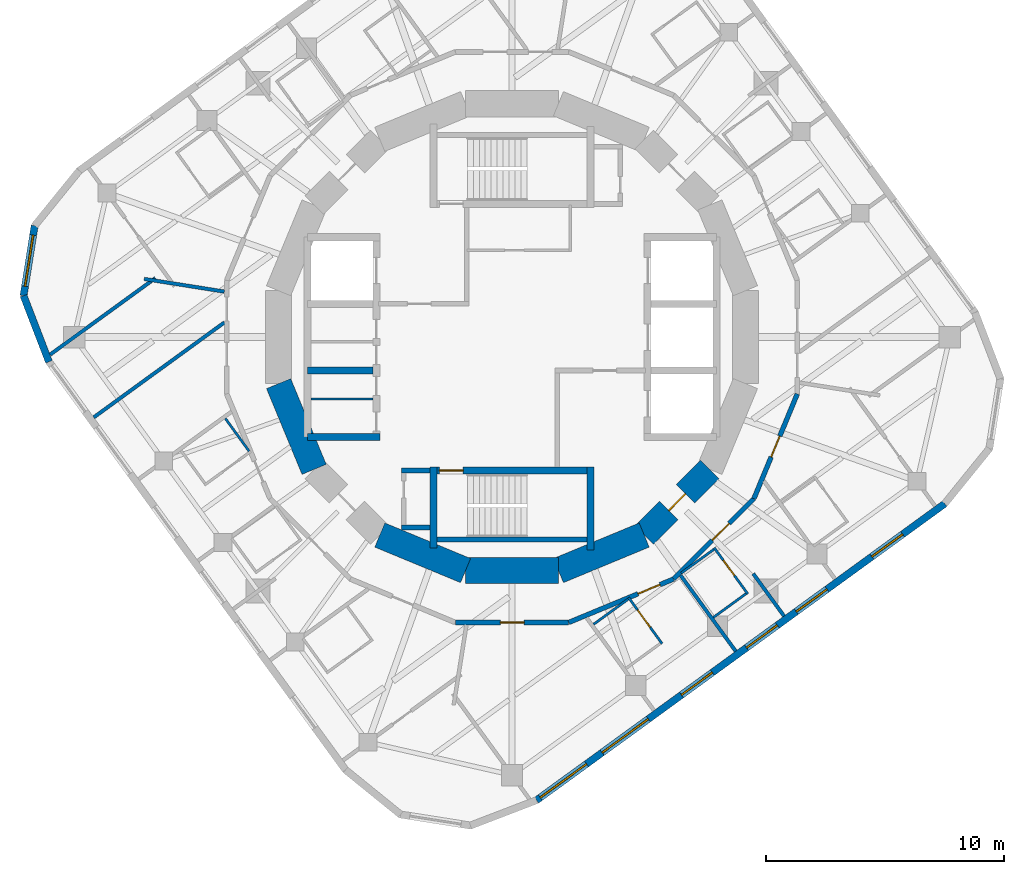
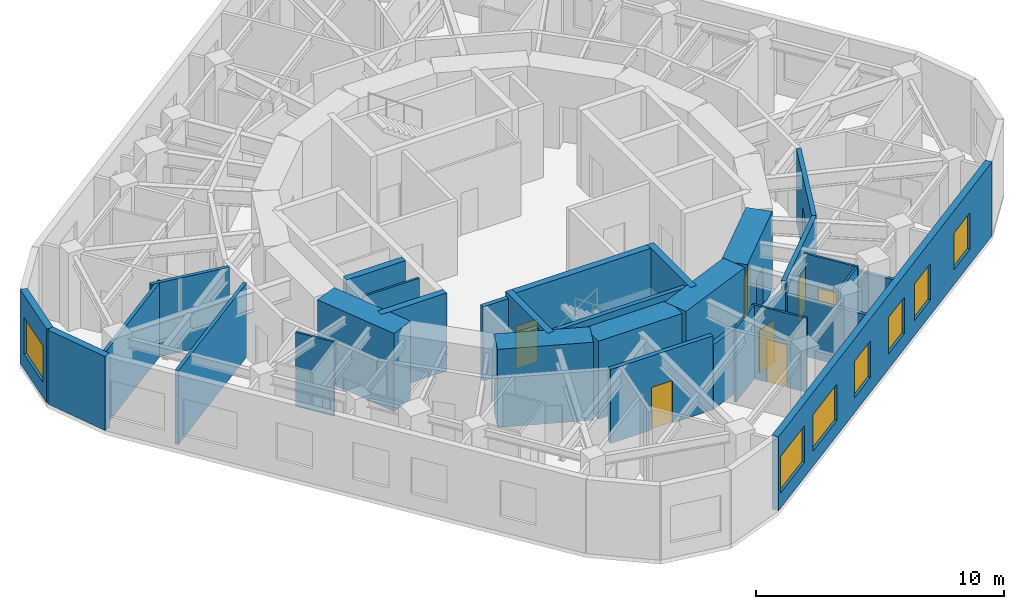
# One storey, part 4 of 9: 32 walls, 8 doors, 7 windows, 15 openings.
"""IFC4 building model written with IfcOpenShell, lengths in metres."""

from ifc_helpers import new_model, si_unit, direction, frame, frame_2d, origin, place, context, subcontext, project, spatial, rectangle, extrude, material, layer, layer_set, type_object, element, fill, save


model = new_model("IFC4")

# Units and contexts
model_context = context("Model", 3, precision=1e-05, world=origin(), true_north=direction((0.0, 1.0)))
body_context = subcontext(model_context, "Body", "Model", "MODEL_VIEW")
ifc_project = project(units=[si_unit("LENGTHUNIT", "METRE"), si_unit("AREAUNIT", "SQUARE_METRE"), si_unit("VOLUMEUNIT", "CUBIC_METRE"), si_unit("PLANEANGLEUNIT", "RADIAN"), si_unit("MASSUNIT", "GRAM", prefix="KILO")], contexts=[model_context])

# Site, building, storey
site_placement = place(None, origin())
site = spatial("IfcSite", under=ifc_project, at=site_placement, CompositionType="ELEMENT")
building_placement = place(site_placement, origin())
building = spatial("IfcBuilding", under=site, at=building_placement, Name="Nakasero Lantern House", CompositionType="ELEMENT")
storey_placement = place(building_placement, frame((0.0, 0.0, 279.14990234375)))
storey = spatial("IfcBuildingStorey", under=building, at=storey_placement, Name="L68", CompositionType="ELEMENT", Elevation=279.14990234375)

# Walls
ifc_material_1 = material(Name="Concrete C50/60", Category="concrete")
ifc_layer_1 = layer(ifc_material_1, 0.300048828125)
ifc_layer_set_1 = layer_set([ifc_layer_1], Name="Core inner wall 300")
wall_type_1 = type_object("IfcWallType", Name="Core inner wall 300", PredefinedType="SHEAR", material=ifc_layer_set_1)
wall_1_placement = place(storey_placement, frame((-8.60009765625, -4.199951171875, 0.0), z_axis=(0.0, 0.0, 1.0), x_axis=(1.0, 0.0, 0.0)))
element("IfcWall", 1, at=wall_1_placement, inside=storey, type_object=wall_type_1, Name="Core inner wall L68 LWS", PredefinedType="SHEAR", context=body_context, shape_type="SweptSolid", body=[
    extrude(rectangle(XDim=3.050048828125, YDim=0.300048828125, at=frame_2d((1.52490234375, 0.0))), origin(), (0.0, 0.0, 1.0), 3.85009765625),
])
wall_2_placement = place(storey_placement, frame((-8.60009765625, -1.39990234375, 0.0), z_axis=(0.0, 0.0, 1.0), x_axis=(1.0, 0.0, 0.0)))
element("IfcWall", 2, at=wall_2_placement, inside=storey, type_object=wall_type_1, Name="Core inner wall L68 LW1", PredefinedType="SHEAR", context=body_context, shape_type="SweptSolid", body=[
    extrude(rectangle(XDim=2.75, YDim=0.300048828125, at=frame_2d((1.375, 0.0))), origin(), (0.0, 0.0, 1.0), 3.85009765625),
])

# Wall, opening, door
wall_3_placement = place(storey_placement, frame((-3.449951171875, -5.60009765625, 0.0), z_axis=(0.0, 0.0, 1.0), x_axis=(1.0, 0.0, 0.0)))
wall_3 = element("IfcWall", 3, at=wall_3_placement, inside=storey, type_object=wall_type_1, Name="Core inner wall L68 SS", PredefinedType="SHEAR", context=body_context, shape_type="SweptSolid", body=[
    extrude(rectangle(XDim=6.89990234375, YDim=0.300048828125, at=frame_2d((3.449951171875, 0.0))), origin(), (0.0, 0.0, 1.0), 3.85009765625),
])
opening_1_placement = place(wall_3_placement, frame((0.39990234375, 0.0, 0.0)))
opening_1 = element("IfcOpeningElement", 4, at=opening_1_placement, cuts=wall_3, Name="Opening D05", PredefinedType="OPENING", context=body_context, shape_type="SweptSolid", body=[
    extrude(rectangle(XDim=1.0, YDim=2.10009765625, at=frame_2d((0.5, 1.050048828125))), frame((0.0, 0.169921875, 0.0), z_axis=(0.0, -1.0, 0.0), x_axis=(1.0, 0.0, 0.0)), (0.0, 0.0, 1.0), 0.340087890625),
])
ifc_material_2 = material(Name="Timber C24", Category="wood")
door_type_1 = type_object("IfcDoorType", Name="Core door FD60S 1000", OperationType="SINGLE_SWING_LEFT", PredefinedType="DOOR", material=ifc_material_2)
door_1_placement = place(opening_1_placement, origin())
door_1 = element("IfcDoor", 5, at=door_1_placement, inside=storey, type_object=door_type_1, Name="Door L68 D-ST2", OperationType="SINGLE_SWING_LEFT", OverallHeight=2.10009765625, OverallWidth=1.0, PredefinedType="DOOR", context=body_context, shape_type="SweptSolid", body=[
    extrude(rectangle(XDim=1.0, YDim=2.10009765625, at=frame_2d((0.5, 1.050048828125))), frame((0.0, 0.02490234375, 0.0), z_axis=(0.0, -1.0, 0.0), x_axis=(1.0, 0.0, 0.0)), (0.0, 0.0, 1.0), 0.050048828125),
])
fill(opening_1, door_1)

# Walls
wall_4_placement = place(storey_placement, frame((-3.300048828125, -5.449951171875, 0.0), z_axis=(0.0, 0.0, 1.0), x_axis=(0.0, -1.0, 0.0)))
element("IfcWall", 6, at=wall_4_placement, inside=storey, type_object=wall_type_1, Name="Core inner wall L68 SSW", PredefinedType="SHEAR", context=body_context, shape_type="SweptSolid", body=[
    extrude(rectangle(XDim=3.400146484375, YDim=0.300048828125, at=frame_2d((1.7001953125, 0.0))), origin(), (0.0, 0.0, 1.0), 3.85009765625),
])
wall_5_placement = place(storey_placement, frame((3.300048828125, -5.449951171875, 0.0), z_axis=(0.0, 0.0, 1.0), x_axis=(0.0, -1.0, 0.0)))
element("IfcWall", 7, at=wall_5_placement, inside=storey, type_object=wall_type_1, Name="Core inner wall L68 SSE", PredefinedType="SHEAR", context=body_context, shape_type="SweptSolid", body=[
    extrude(rectangle(XDim=3.5, YDim=0.300048828125, at=frame_2d((1.75, 0.0))), origin(), (0.0, 0.0, 1.0), 3.85009765625),
])
ifc_material_3 = material(Name="Blockwork", Category="masonry")
ifc_layer_2 = layer(ifc_material_3, 0.10009765625)
ifc_layer_set_2 = layer_set([ifc_layer_2], Name="Core room wall 100")
wall_type_2 = type_object("IfcWallType", Name="Core room wall 100", PredefinedType="PARTITIONING", material=ifc_layer_set_2)
wall_6_placement = place(storey_placement, frame((-8.449951171875, -2.60009765625, 0.0), z_axis=(0.0, 0.0, 1.0), x_axis=(1.0, 0.0, 0.0)))
element("IfcWall", 8, at=wall_6_placement, inside=storey, type_object=wall_type_2, Name="Core room wall L68 CR-SH-LW1b", PredefinedType="PARTITIONING", context=body_context, shape_type="SweptSolid", body=[
    extrude(rectangle(XDim=2.599853515625, YDim=0.10009765625, at=frame_2d((1.2998046875, 0.0))), origin(), (0.0, 0.0, 1.0), 3.650146484375),
])
ifc_material_4 = material(Name="Concrete C50/60", Category="concrete")
ifc_layer_3 = layer(ifc_material_4, 1.10009765625)
ifc_layer_set_3 = layer_set([ifc_layer_3], Name="Core wall 1100")
wall_type_3 = type_object("IfcWallType", Name="Core wall 1100", PredefinedType="SHEAR", material=ifc_layer_set_3)
for number, where, z_axis, x_axis, name in (
    (9, (-9.807861328125, -1.950927734375, 0.0), (0.0, 0.0, 1.0), (0.382690736062, -0.923876507187, 0.0), "Core wall L68 facet 9"),
    (10, (-5.5556640625, -8.314697265625, 0.0), (0.0, 0.0, 1.0), (0.923876507187, -0.382690736062, 0.0), "Core wall L68 facet 11"),
    (11, (-1.950927734375, -9.807861328125, 0.0), (0.0, 0.0, 1.0), (1.0, 0.0, 0.0), "Core wall L68 facet 12"),
    (12, (1.950927734375, -9.807861328125, 0.0), (0.0, 0.0, 1.0), (0.923876507187, 0.382690736062, 0.0), "Core wall L68 facet 13"),
):
    element("IfcWall", number, at=place(storey_placement, frame(where, z_axis=z_axis, x_axis=x_axis)), inside=storey, type_object=wall_type_3, Name=name, PredefinedType="SHEAR", context=body_context, shape_type="SweptSolid", body=[
        extrude(rectangle(XDim=3.90185546875, YDim=1.10009765625, at=frame_2d((1.950927734375, 0.0))), origin(), (0.0, 0.0, 1.0), 3.85009765625),
    ])

# Wall, opening, door
wall_7_placement = place(storey_placement, frame((5.5556640625, -8.314697265625, 0.0), z_axis=(0.0, 0.0, 1.0), x_axis=(0.707106781187, 0.707106781187, 0.0)))
wall_7 = element("IfcWall", 13, at=wall_7_placement, inside=storey, type_object=wall_type_3, Name="Core wall L68 facet 14", PredefinedType="SHEAR", context=body_context, shape_type="SweptSolid", body=[
    extrude(rectangle(XDim=3.90185546875, YDim=1.10009765625, at=frame_2d((1.950927734375, 0.0))), origin(), (0.0, 0.0, 1.0), 3.85009765625),
])
opening_2_placement = place(wall_7_placement, frame((1.450927734375, 0.0, 0.0)))
opening_2 = element("IfcOpeningElement", 14, at=opening_2_placement, cuts=wall_7, Name="Opening D05", PredefinedType="OPENING", context=body_context, shape_type="SweptSolid", body=[
    extrude(rectangle(XDim=1.0, YDim=2.10009765625, at=frame_2d((0.5, 1.050048828125))), frame((0.0, 0.570068359375, 0.0), z_axis=(0.0, -1.0, 0.0), x_axis=(1.0, 0.0, 0.0)), (0.0, 0.0, 1.0), 1.14013671875),
])
door_2_placement = place(opening_2_placement, origin())
door_2 = element("IfcDoor", 15, at=door_2_placement, inside=storey, type_object=door_type_1, Name="Door L68 D-CORE14", OperationType="SINGLE_SWING_LEFT", OverallHeight=2.10009765625, OverallWidth=1.0, PredefinedType="DOOR", context=body_context, shape_type="SweptSolid", body=[
    extrude(rectangle(XDim=1.0, YDim=2.10009765625, at=frame_2d((0.5, 1.050048828125))), frame((0.0, 0.02490234375, 0.0), z_axis=(0.0, -1.0, 0.0), x_axis=(1.0, 0.0, 0.0)), (0.0, 0.0, 1.0), 0.050048828125),
])
fill(opening_2, door_2)

ifc_material_5 = material(Name="Blockwork", Category="masonry")
ifc_layer_4 = layer(ifc_material_5, 0.199951171875)
ifc_layer_set_4 = layer_set([ifc_layer_4], Name="Corridor wall 200")
wall_type_4 = type_object("IfcWallType", Name="Corridor wall 200", PredefinedType="PARTITIONING", material=ifc_layer_set_4)
wall_8_placement = place(storey_placement, frame((11.98779296875, -2.384521484375, 0.0), z_axis=(0.0, 0.0, 1.0), x_axis=(-0.382669792111, -0.923885182372, 0.0)))
wall_8 = element("IfcWall", 16, at=wall_8_placement, inside=storey, type_object=wall_type_4, Name="Corridor wall L68 RC01a", PredefinedType="PARTITIONING", context=body_context, shape_type="SweptSolid", body=[
    extrude(rectangle(XDim=4.76904296875, YDim=0.199951171875, at=frame_2d((2.384521484375, 0.0))), origin(), (0.0, 0.0, 1.0), 3.650146484375),
])
opening_3_placement = place(wall_8_placement, frame((1.919921875, 0.0, 0.0)))
opening_3 = element("IfcOpeningElement", 17, at=opening_3_placement, cuts=wall_8, Name="Opening D01", PredefinedType="OPENING", context=body_context, shape_type="SweptSolid", body=[
    extrude(rectangle(XDim=0.949951171875, YDim=2.10009765625, at=frame_2d((0.47509765625, 1.050048828125))), frame((0.0, 0.119873046875, 0.0), z_axis=(0.0, -1.0, 0.0), x_axis=(1.0, 0.0, 0.0)), (0.0, 0.0, 1.0), 0.239990234375),
])
ifc_material_6 = material(Name="Timber C24", Category="wood")
door_type_2 = type_object("IfcDoorType", Name="Bedroom door FD30S 950", OperationType="SINGLE_SWING_LEFT", PredefinedType="DOOR", material=ifc_material_6)
door_3_placement = place(opening_3_placement, origin())
door_3 = element("IfcDoor", 18, at=door_3_placement, inside=storey, type_object=door_type_2, Name="Door L68 D3-06", OperationType="SINGLE_SWING_RIGHT", OverallHeight=2.10009765625, OverallWidth=0.949951171875, PredefinedType="DOOR", context=body_context, shape_type="SweptSolid", body=[
    extrude(rectangle(XDim=0.949951171875, YDim=2.10009765625, at=frame_2d((0.47509765625, 1.050048828125))), frame((0.0, 0.02490234375, 0.0), z_axis=(0.0, -1.0, 0.0), x_axis=(1.0, 0.0, 0.0)), (0.0, 0.0, 1.0), 0.050048828125),
])
fill(opening_3, door_3)

wall_9_placement = place(storey_placement, frame((10.162841796875, -6.79052734375, 0.0), z_axis=(0.0, 0.0, 1.0), x_axis=(-0.707106781187, -0.707106781187, 0.0)))
wall_9 = element("IfcWall", 19, at=wall_9_placement, inside=storey, type_object=wall_type_4, Name="Corridor wall L68 RC02a", PredefinedType="PARTITIONING", context=body_context, shape_type="SweptSolid", body=[
    extrude(rectangle(XDim=4.769287109375, YDim=0.199951171875, at=frame_2d((2.384765625, 0.0))), origin(), (0.0, 0.0, 1.0), 3.650146484375),
])
opening_4_placement = place(wall_9_placement, frame((1.469970703125, 0.0, 0.0)))
opening_4 = element("IfcOpeningElement", 20, at=opening_4_placement, cuts=wall_9, Name="Opening D07", PredefinedType="OPENING", context=body_context, shape_type="SweptSolid", body=[
    extrude(rectangle(XDim=1.0, YDim=2.10009765625, at=frame_2d((0.5, 1.050048828125))), frame((0.0, 0.119873046875, 0.0), z_axis=(0.0, -1.0, 0.0), x_axis=(1.0, 0.0, 0.0)), (0.0, 0.0, 1.0), 0.239990234375),
])
ifc_material_7 = material(Name="Timber C24", Category="wood")
door_type_3 = type_object("IfcDoorType", Name="Room door FD30S 1000", OperationType="SINGLE_SWING_LEFT", PredefinedType="DOOR", material=ifc_material_7)
door_4_placement = place(opening_4_placement, origin())
door_4 = element("IfcDoor", 21, at=door_4_placement, inside=storey, type_object=door_type_3, Name="Door L68 D3-04", OperationType="SINGLE_SWING_LEFT", OverallHeight=2.10009765625, OverallWidth=1.0, PredefinedType="DOOR", context=body_context, shape_type="SweptSolid", body=[
    extrude(rectangle(XDim=1.0, YDim=2.10009765625, at=frame_2d((0.5, 1.050048828125))), frame((0.0, 0.02490234375, 0.0), z_axis=(0.0, -1.0, 0.0), x_axis=(1.0, 0.0, 0.0)), (0.0, 0.0, 1.0), 0.050048828125),
])
fill(opening_4, door_4)

wall_10_placement = place(storey_placement, frame((6.79052734375, -10.162841796875, 0.0), z_axis=(0.0, 0.0, 1.0), x_axis=(-0.923885182372, -0.382669792111, 0.0)))
wall_10 = element("IfcWall", 22, at=wall_10_placement, inside=storey, type_object=wall_type_4, Name="Corridor wall L68 RC03a", PredefinedType="PARTITIONING", context=body_context, shape_type="SweptSolid", body=[
    extrude(rectangle(XDim=4.76904296875, YDim=0.199951171875, at=frame_2d((2.384521484375, 0.0))), origin(), (0.0, 0.0, 1.0), 3.190185546875),
])
opening_5_placement = place(wall_10_placement, frame((0.6201171875, 0.0, 0.0)))
opening_5 = element("IfcOpeningElement", 23, at=opening_5_placement, cuts=wall_10, Name="Opening D07", PredefinedType="OPENING", context=body_context, shape_type="SweptSolid", body=[
    extrude(rectangle(XDim=1.0, YDim=2.10009765625, at=frame_2d((0.5, 1.050048828125))), frame((0.0, 0.119873046875, 0.0), z_axis=(0.0, -1.0, 0.0), x_axis=(1.0, 0.0, 0.0)), (0.0, 0.0, 1.0), 0.239990234375),
])
door_5_placement = place(opening_5_placement, origin())
door_5 = element("IfcDoor", 24, at=door_5_placement, inside=storey, type_object=door_type_3, Name="Door L68 D3-03", OperationType="SINGLE_SWING_LEFT", OverallHeight=2.10009765625, OverallWidth=1.0, PredefinedType="DOOR", context=body_context, shape_type="SweptSolid", body=[
    extrude(rectangle(XDim=1.0, YDim=2.10009765625, at=frame_2d((0.5, 1.050048828125))), frame((0.0, 0.02490234375, 0.0), z_axis=(0.0, -1.0, 0.0), x_axis=(1.0, 0.0, 0.0)), (0.0, 0.0, 1.0), 0.050048828125),
])
fill(opening_5, door_5)

wall_11_placement = place(storey_placement, frame((2.384521484375, -11.98779296875, 0.0), z_axis=(0.0, 0.0, 1.0), x_axis=(-1.0, 0.0, 0.0)))
wall_11 = element("IfcWall", 25, at=wall_11_placement, inside=storey, type_object=wall_type_4, Name="Corridor wall L68 RC04a", PredefinedType="PARTITIONING", context=body_context, shape_type="SweptSolid", body=[
    extrude(rectangle(XDim=4.76904296875, YDim=0.199951171875, at=frame_2d((2.384521484375, 0.0))), origin(), (0.0, 0.0, 1.0), 3.650146484375),
])
opening_6_placement = place(wall_11_placement, frame((1.8701171875, 0.0, 0.0)))
opening_6 = element("IfcOpeningElement", 26, at=opening_6_placement, cuts=wall_11, Name="Opening D03", PredefinedType="OPENING", context=body_context, shape_type="SweptSolid", body=[
    extrude(rectangle(XDim=1.0, YDim=2.10009765625, at=frame_2d((0.5, 1.050048828125))), frame((0.0, 0.119873046875, 0.0), z_axis=(0.0, -1.0, 0.0), x_axis=(1.0, 0.0, 0.0)), (0.0, 0.0, 1.0), 0.239990234375),
])
ifc_material_8 = material(Name="Timber C24", Category="wood")
door_type_4 = type_object("IfcDoorType", Name="Lounge door FD30S 1000", OperationType="SINGLE_SWING_LEFT", PredefinedType="DOOR", material=ifc_material_8)
door_6_placement = place(opening_6_placement, origin())
door_6 = element("IfcDoor", 27, at=door_6_placement, inside=storey, type_object=door_type_4, Name="Door L68 DK3", OperationType="SINGLE_SWING_LEFT", OverallHeight=2.10009765625, OverallWidth=1.0, PredefinedType="DOOR", context=body_context, shape_type="SweptSolid", body=[
    extrude(rectangle(XDim=1.0, YDim=2.10009765625, at=frame_2d((0.5, 1.050048828125))), frame((0.0, 0.02490234375, 0.0), z_axis=(0.0, -1.0, 0.0), x_axis=(1.0, 0.0, 0.0)), (0.0, 0.0, 1.0), 0.050048828125),
])
fill(opening_6, door_6)

# Wall
ifc_material_9 = material(Name="Blockwork", Category="masonry")
ifc_layer_5 = layer(ifc_material_9, 0.10009765625)
ifc_layer_set_5 = layer_set([ifc_layer_5], Name="En-suite wall 100")
wall_type_5 = type_object("IfcWallType", Name="En-suite wall 100", PredefinedType="PARTITIONING", material=ifc_layer_set_5)
wall_12_placement = place(storey_placement, frame((-12.046142578125, -3.414794921875, 0.0), z_axis=(0.0, 0.0, 1.0), x_axis=(0.587659235066, -0.809108536256, 0.0)))
element("IfcWall", 28, at=wall_12_placement, inside=storey, type_object=wall_type_5, Name="En-suite wall L68 EI2-03", PredefinedType="PARTITIONING", context=body_context, shape_type="SweptSolid", body=[
    extrude(rectangle(XDim=1.699951171875, YDim=0.10009765625, at=frame_2d((0.85009765625, 0.0))), origin(), (0.0, 0.0, 1.0), 3.650146484375),
])

# Wall, opening, door
wall_13_placement = place(storey_placement, frame((4.896240234375, -10.937744140625, 0.0), z_axis=(0.0, 0.0, 1.0), x_axis=(0.587772420479, -0.809026317077, 0.0)))
wall_13 = element("IfcWall", 29, at=wall_13_placement, inside=storey, type_object=wall_type_5, Name="En-suite wall L68 ES3-03", PredefinedType="PARTITIONING", context=body_context, shape_type="SweptSolid", body=[
    extrude(rectangle(XDim=2.39990234375, YDim=0.10009765625, at=frame_2d((1.199951171875, 0.0))), origin(), (0.0, 0.0, 1.0), 3.650146484375),
])
opening_7_placement = place(wall_13_placement, frame((0.64990234375, 0.0, 0.0)))
opening_7 = element("IfcOpeningElement", 30, at=opening_7_placement, cuts=wall_13, Name="Opening D16", PredefinedType="OPENING", context=body_context, shape_type="SweptSolid", body=[
    extrude(rectangle(XDim=0.89990234375, YDim=2.10009765625, at=frame_2d((0.449951171875, 1.050048828125))), frame((0.0, 0.070068359375, 0.0), z_axis=(0.0, -1.0, 0.0), x_axis=(1.0, 0.0, 0.0)), (0.0, 0.0, 1.0), 0.14013671875),
])
ifc_material_10 = material(Name="Timber C24", Category="wood")
door_type_5 = type_object("IfcDoorType", Name="Accessible WC door 900", OperationType="SINGLE_SWING_RIGHT", PredefinedType="DOOR", material=ifc_material_10)
door_7_placement = place(opening_7_placement, origin())
door_7 = element("IfcDoor", 31, at=door_7_placement, inside=storey, type_object=door_type_5, Name="Door L68 DE3-03", OperationType="SINGLE_SWING_LEFT", OverallHeight=2.10009765625, OverallWidth=0.89990234375, PredefinedType="DOOR", context=body_context, shape_type="SweptSolid", body=[
    extrude(rectangle(XDim=0.89990234375, YDim=2.10009765625, at=frame_2d((0.449951171875, 1.050048828125))), frame((0.0, 0.02490234375, 0.0), z_axis=(0.0, -1.0, 0.0), x_axis=(1.0, 0.0, 0.0)), (0.0, 0.0, 1.0), 0.050048828125),
])
fill(opening_7, door_7)

# Wall
wall_14_placement = place(storey_placement, frame((3.428955078125, -12.065673828125, 0.0), z_axis=(0.0, 0.0, 1.0), x_axis=(0.809005783898, 0.58780068188, 0.0)))
element("IfcWall", 32, at=wall_14_placement, inside=storey, type_object=wall_type_5, Name="En-suite wall L68 EI3-03", PredefinedType="PARTITIONING", context=body_context, shape_type="SweptSolid", body=[
    extrude(rectangle(XDim=1.800048828125, YDim=0.10009765625, at=frame_2d((0.89990234375, 0.0))), origin(), (0.0, 0.0, 1.0), 3.650146484375),
])

# Wall, opening, door
wall_15_placement = place(storey_placement, frame((8.495849609375, -8.846435546875, 0.0), z_axis=(0.0, 0.0, 1.0), x_axis=(0.587772420479, -0.809026317077, 0.0)))
wall_15 = element("IfcWall", 33, at=wall_15_placement, inside=storey, type_object=wall_type_5, Name="En-suite wall L68 ES3-04", PredefinedType="PARTITIONING", context=body_context, shape_type="SweptSolid", body=[
    extrude(rectangle(XDim=2.39990234375, YDim=0.10009765625, at=frame_2d((1.199951171875, 0.0))), origin(), (0.0, 0.0, 1.0), 3.650146484375),
])
opening_8_placement = place(wall_15_placement, frame((0.64990234375, 0.0, 0.0)))
opening_8 = element("IfcOpeningElement", 34, at=opening_8_placement, cuts=wall_15, Name="Opening D15", PredefinedType="OPENING", context=body_context, shape_type="SweptSolid", body=[
    extrude(rectangle(XDim=0.800048828125, YDim=2.10009765625, at=frame_2d((0.39990234375, 1.050048828125))), frame((0.0, 0.070068359375, 0.0), z_axis=(0.0, -1.0, 0.0), x_axis=(1.0, 0.0, 0.0)), (0.0, 0.0, 1.0), 0.14013671875),
])
ifc_material_11 = material(Name="Timber C24", Category="wood")
door_type_6 = type_object("IfcDoorType", Name="Cleaner's store door FD30S 800", OperationType="SINGLE_SWING_LEFT", PredefinedType="DOOR", material=ifc_material_11)
door_8_placement = place(opening_8_placement, origin())
door_8 = element("IfcDoor", 35, at=door_8_placement, inside=storey, type_object=door_type_6, Name="Door L68 DE3-04", OperationType="SINGLE_SWING_LEFT", OverallHeight=2.10009765625, OverallWidth=0.800048828125, PredefinedType="DOOR", context=body_context, shape_type="SweptSolid", body=[
    extrude(rectangle(XDim=0.800048828125, YDim=2.10009765625, at=frame_2d((0.39990234375, 1.050048828125))), frame((0.0, 0.02490234375, 0.0), z_axis=(0.0, -1.0, 0.0), x_axis=(1.0, 0.0, 0.0)), (0.0, 0.0, 1.0), 0.050048828125),
])
fill(opening_8, door_8)

# Walls
wall_16_placement = place(storey_placement, frame((8.461181640625, -11.7763671875, 0.0), z_axis=(0.0, 0.0, 1.0), x_axis=(0.809040252033, 0.58775323954, 0.0)))
element("IfcWall", 36, at=wall_16_placement, inside=storey, type_object=wall_type_5, Name="En-suite wall L68 EE3-04", PredefinedType="PARTITIONING", context=body_context, shape_type="SweptSolid", body=[
    extrude(rectangle(XDim=1.7001953125, YDim=0.10009765625, at=frame_2d((0.85009765625, 0.0))), origin(), (0.0, 0.0, 1.0), 3.650146484375),
])
wall_17_placement = place(storey_placement, frame((7.109375, -9.91552734375, 0.0), z_axis=(0.0, 0.0, 1.0), x_axis=(0.808990636343, 0.587821529301, 0.0)))
element("IfcWall", 37, at=wall_17_placement, inside=storey, type_object=wall_type_5, Name="En-suite wall L68 EI3-04", PredefinedType="PARTITIONING", context=body_context, shape_type="SweptSolid", body=[
    extrude(rectangle(XDim=1.699951171875, YDim=0.10009765625, at=frame_2d((0.85009765625, 0.0))), origin(), (0.0, 0.0, 1.0), 3.190185546875),
])

# Wall, opening, window
ifc_material_12 = material(Name="Aluminium rainscreen on blockwork", Category="masonry")
ifc_layer_6 = layer(ifc_material_12, 0.300048828125)
ifc_layer_set_6 = layer_set([ifc_layer_6], Name="Facade wall 300")
wall_type_6 = type_object("IfcWallType", Name="Facade wall 300", PredefinedType="SOLIDWALL", material=ifc_layer_set_6)
wall_18_placement = place(storey_placement, frame((-20.05908203125, 4.683837890625, 0.0), z_axis=(0.0, 0.0, 1.0), x_axis=(-0.156413227021, -0.987691704133, 0.0)))
wall_18 = element("IfcWall", 38, at=wall_18_placement, inside=storey, type_object=wall_type_6, Name="Facade wall L68 FW1C2", PredefinedType="SOLIDWALL", context=body_context, shape_type="SweptSolid", body=[
    extrude(rectangle(XDim=2.9765625, YDim=0.300048828125, at=frame_2d((1.48828125, 0.0))), origin(), (0.0, 0.0, 1.0), 3.650146484375),
])
opening_9_placement = place(wall_18_placement, frame((0.39990234375, 0.0, 0.75)))
opening_9 = element("IfcOpeningElement", 39, at=opening_9_placement, cuts=wall_18, Name="Opening W221", PredefinedType="OPENING", context=body_context, shape_type="SweptSolid", body=[
    extrude(rectangle(XDim=2.176025390625, YDim=1.800048828125, at=frame_2d((1.087890625, 0.89990234375))), frame((0.0, 0.169921875, 0.0), z_axis=(0.0, -1.0, 0.0), x_axis=(1.0, 0.0, 0.0)), (0.0, 0.0, 1.0), 0.340087890625),
])
ifc_material_13 = material(Name="Aluminium 6063-T6 and glass", Category="aluminium")
window_type_1 = type_object("IfcWindowType", Name="Corner window 2176x1800", PartitioningType="SINGLE_PANEL", PredefinedType="WINDOW", material=ifc_material_13)
window_1_placement = place(opening_9_placement, origin())
window_1 = element("IfcWindow", 40, at=window_1_placement, inside=storey, type_object=window_type_1, Name="Window L68 WC1", OverallHeight=1.800048828125, OverallWidth=2.176025390625, PartitioningType="SINGLE_PANEL", PredefinedType="WINDOW", context=body_context, shape_type="SweptSolid", body=[
    extrude(rectangle(XDim=2.176025390625, YDim=1.800048828125, at=frame_2d((1.087890625, 0.89990234375))), frame((0.0, 0.030029296875, 0.0), z_axis=(0.0, -1.0, 0.0), x_axis=(1.0, 0.0, 0.0)), (0.0, 0.0, 1.0), 0.06005859375),
])
fill(opening_9, window_1)

# Wall
wall_19_placement = place(storey_placement, frame((-20.524658203125, 1.743896484375, 0.0), z_axis=(0.0, 0.0, 1.0), x_axis=(0.35838535244, -0.933573745966, 0.0)))
element("IfcWall", 41, at=wall_19_placement, inside=storey, type_object=wall_type_6, Name="Facade wall L68 FW1C3", PredefinedType="SOLIDWALL", context=body_context, shape_type="SweptSolid", body=[
    extrude(rectangle(XDim=2.976318359375, YDim=0.300048828125, at=frame_2d((1.48828125, 0.0))), origin(), (0.0, 0.0, 1.0), 3.650146484375),
])

# Wall, openings, windows
wall_20_placement = place(storey_placement, frame((1.03466796875, -19.4580078125, 0.0), z_axis=(0.0, 0.0, 1.0), x_axis=(0.809013375328, 0.587790233451, 0.0)))
wall_20 = element("IfcWall", 42, at=wall_20_placement, inside=storey, type_object=wall_type_6, Name="Facade wall L68 FW3S", PredefinedType="SOLIDWALL", context=body_context, shape_type="SweptSolid", body=[
    extrude(rectangle(XDim=21.199951171875, YDim=0.300048828125, at=frame_2d((10.60009765625, 0.0))), origin(), (0.0, 0.0, 1.0), 3.650146484375),
])
opening_10_placement = place(wall_20_placement, frame((7.52783203125, 0.0, 0.75)))
opening_10 = element("IfcOpeningElement", 43, at=opening_10_placement, cuts=wall_20, Name="Opening W01", PredefinedType="OPENING", context=body_context, shape_type="SweptSolid", body=[
    extrude(rectangle(XDim=1.60009765625, YDim=1.800048828125, at=frame_2d((0.800048828125, 0.89990234375))), frame((0.0, 0.169921875, 0.0), z_axis=(0.0, -1.0, 0.0), x_axis=(1.0, 0.0, 0.0)), (0.0, 0.0, 1.0), 0.340087890625),
])
opening_11_placement = place(wall_20_placement, frame((10.904052734375, 0.0, 0.75)))
opening_11 = element("IfcOpeningElement", 44, at=opening_11_placement, cuts=wall_20, Name="Opening W01", PredefinedType="OPENING", context=body_context, shape_type="SweptSolid", body=[
    extrude(rectangle(XDim=1.60009765625, YDim=1.800048828125, at=frame_2d((0.800048828125, 0.89990234375))), frame((0.0, 0.169921875, 0.0), z_axis=(0.0, -1.0, 0.0), x_axis=(1.0, 0.0, 0.0)), (0.0, 0.0, 1.0), 0.340087890625),
])
opening_12_placement = place(wall_20_placement, frame((13.484619140625, 0.0, 0.75)))
opening_12 = element("IfcOpeningElement", 45, at=opening_12_placement, cuts=wall_20, Name="Opening W01", PredefinedType="OPENING", context=body_context, shape_type="SweptSolid", body=[
    extrude(rectangle(XDim=1.60009765625, YDim=1.800048828125, at=frame_2d((0.800048828125, 0.89990234375))), frame((0.0, 0.169921875, 0.0), z_axis=(0.0, -1.0, 0.0), x_axis=(1.0, 0.0, 0.0)), (0.0, 0.0, 1.0), 0.340087890625),
])
opening_13_placement = place(wall_20_placement, frame((17.410888671875, 0.0, 0.75)))
opening_13 = element("IfcOpeningElement", 46, at=opening_13_placement, cuts=wall_20, Name="Opening W01", PredefinedType="OPENING", context=body_context, shape_type="SweptSolid", body=[
    extrude(rectangle(XDim=1.60009765625, YDim=1.800048828125, at=frame_2d((0.800048828125, 0.89990234375))), frame((0.0, 0.169921875, 0.0), z_axis=(0.0, -1.0, 0.0), x_axis=(1.0, 0.0, 0.0)), (0.0, 0.0, 1.0), 0.340087890625),
])
opening_14_placement = place(wall_20_placement, frame((0.1904296875, 0.0, 0.75)))
opening_14 = element("IfcOpeningElement", 47, at=opening_14_placement, cuts=wall_20, Name="Opening W03", PredefinedType="OPENING", context=body_context, shape_type="SweptSolid", body=[
    extrude(rectangle(XDim=2.39990234375, YDim=1.800048828125, at=frame_2d((1.199951171875, 0.89990234375))), frame((0.0, 0.169921875, 0.0), z_axis=(0.0, -1.0, 0.0), x_axis=(1.0, 0.0, 0.0)), (0.0, 0.0, 1.0), 0.340087890625),
])
opening_15_placement = place(wall_20_placement, frame((3.401611328125, 0.0, 0.75)))
opening_15 = element("IfcOpeningElement", 48, at=opening_15_placement, cuts=wall_20, Name="Opening W03", PredefinedType="OPENING", context=body_context, shape_type="SweptSolid", body=[
    extrude(rectangle(XDim=2.39990234375, YDim=1.800048828125, at=frame_2d((1.199951171875, 0.89990234375))), frame((0.0, 0.169921875, 0.0), z_axis=(0.0, -1.0, 0.0), x_axis=(1.0, 0.0, 0.0)), (0.0, 0.0, 1.0), 0.340087890625),
])
ifc_material_14 = material(Name="Aluminium 6063-T6 and glass", Category="aluminium")
window_type_2 = type_object("IfcWindowType", Name="Bedroom window 1600x1800", PartitioningType="SINGLE_PANEL", PredefinedType="WINDOW", material=ifc_material_14)
window_2_placement = place(opening_10_placement, origin())
window_2 = element("IfcWindow", 49, at=window_2_placement, inside=storey, type_object=window_type_2, Name="Window L68 WN3-03", OverallHeight=1.800048828125, OverallWidth=1.60009765625, PartitioningType="SINGLE_PANEL", PredefinedType="WINDOW", context=body_context, shape_type="SweptSolid", body=[
    extrude(rectangle(XDim=1.60009765625, YDim=1.800048828125, at=frame_2d((0.800048828125, 0.89990234375))), frame((0.0, 0.030029296875, 0.0), z_axis=(0.0, -1.0, 0.0), x_axis=(1.0, 0.0, 0.0)), (0.0, 0.0, 1.0), 0.06005859375),
])
fill(opening_10, window_2)
window_3_placement = place(opening_11_placement, origin())
window_3 = element("IfcWindow", 50, at=window_3_placement, inside=storey, type_object=window_type_2, Name="Window L68 WN3-04", OverallHeight=1.800048828125, OverallWidth=1.60009765625, PartitioningType="SINGLE_PANEL", PredefinedType="WINDOW", context=body_context, shape_type="SweptSolid", body=[
    extrude(rectangle(XDim=1.60009765625, YDim=1.800048828125, at=frame_2d((0.800048828125, 0.89990234375))), frame((0.0, 0.030029296875, 0.0), z_axis=(0.0, -1.0, 0.0), x_axis=(1.0, 0.0, 0.0)), (0.0, 0.0, 1.0), 0.06005859375),
])
fill(opening_11, window_3)
window_4_placement = place(opening_12_placement, origin())
window_4 = element("IfcWindow", 51, at=window_4_placement, inside=storey, type_object=window_type_2, Name="Window L68 WN3-05", OverallHeight=1.800048828125, OverallWidth=1.60009765625, PartitioningType="SINGLE_PANEL", PredefinedType="WINDOW", context=body_context, shape_type="SweptSolid", body=[
    extrude(rectangle(XDim=1.60009765625, YDim=1.800048828125, at=frame_2d((0.800048828125, 0.89990234375))), frame((0.0, 0.030029296875, 0.0), z_axis=(0.0, -1.0, 0.0), x_axis=(1.0, 0.0, 0.0)), (0.0, 0.0, 1.0), 0.06005859375),
])
fill(opening_12, window_4)
window_5_placement = place(opening_13_placement, origin())
window_5 = element("IfcWindow", 52, at=window_5_placement, inside=storey, type_object=window_type_2, Name="Window L68 WN3-06", OverallHeight=1.800048828125, OverallWidth=1.60009765625, PartitioningType="SINGLE_PANEL", PredefinedType="WINDOW", context=body_context, shape_type="SweptSolid", body=[
    extrude(rectangle(XDim=1.60009765625, YDim=1.800048828125, at=frame_2d((0.800048828125, 0.89990234375))), frame((0.0, 0.030029296875, 0.0), z_axis=(0.0, -1.0, 0.0), x_axis=(1.0, 0.0, 0.0)), (0.0, 0.0, 1.0), 0.06005859375),
])
fill(opening_13, window_5)
ifc_material_15 = material(Name="Aluminium 6063-T6 and glass", Category="aluminium")
window_type_3 = type_object("IfcWindowType", Name="Lounge window 2400x1800", PartitioningType="SINGLE_PANEL", PredefinedType="WINDOW", material=ifc_material_15)
window_6_placement = place(opening_14_placement, origin())
window_6 = element("IfcWindow", 53, at=window_6_placement, inside=storey, type_object=window_type_3, Name="Window L68 WK3", OverallHeight=1.800048828125, OverallWidth=2.39990234375, PartitioningType="SINGLE_PANEL", PredefinedType="WINDOW", context=body_context, shape_type="SweptSolid", body=[
    extrude(rectangle(XDim=2.39990234375, YDim=1.800048828125, at=frame_2d((1.199951171875, 0.89990234375))), frame((0.0, 0.030029296875, 0.0), z_axis=(0.0, -1.0, 0.0), x_axis=(1.0, 0.0, 0.0)), (0.0, 0.0, 1.0), 0.06005859375),
])
fill(opening_14, window_6)
window_7_placement = place(opening_15_placement, origin())
window_7 = element("IfcWindow", 54, at=window_7_placement, inside=storey, type_object=window_type_3, Name="Window L68 WL3", OverallHeight=1.800048828125, OverallWidth=2.39990234375, PartitioningType="SINGLE_PANEL", PredefinedType="WINDOW", context=body_context, shape_type="SweptSolid", body=[
    extrude(rectangle(XDim=2.39990234375, YDim=1.800048828125, at=frame_2d((1.199951171875, 0.89990234375))), frame((0.0, 0.030029296875, 0.0), z_axis=(0.0, -1.0, 0.0), x_axis=(1.0, 0.0, 0.0)), (0.0, 0.0, 1.0), 0.06005859375),
])
fill(opening_15, window_7)

# Walls
ifc_material_16 = material(Name="Blockwork", Category="masonry")
ifc_layer_7 = layer(ifc_material_16, 0.199951171875)
ifc_layer_set_7 = layer_set([ifc_layer_7], Name="Fire lobby wall 200")
wall_type_7 = type_object("IfcWallType", Name="Fire lobby wall 200", PredefinedType="PARTITIONING", material=ifc_layer_set_7)
for number, where, z_axis, x_axis, name in (
    (55, (-3.449951171875, -8.0, 0.0), (0.0, 0.0, 1.0), (-1.0, 0.0, 0.0), "Fire lobby wall L68 W-RS2S"),
    (56, (-3.449951171875, -5.60009765625, 0.0), (0.0, 0.0, 1.0), (-1.0, 0.0, 0.0), "Fire lobby wall L68 W-RS2N"),
):
    element("IfcWall", number, at=place(storey_placement, frame(where, z_axis=z_axis, x_axis=x_axis)), inside=storey, type_object=wall_type_7, Name=name, PredefinedType="PARTITIONING", context=body_context, shape_type="SweptSolid", body=[
        extrude(rectangle(XDim=1.199951171875, YDim=0.199951171875, at=frame_2d((0.60009765625, 0.0))), origin(), (0.0, 0.0, 1.0), 3.650146484375),
    ])
wall_21_placement = place(storey_placement, frame((-3.300048828125, -8.5, 0.0), z_axis=(0.0, 0.0, 1.0), x_axis=(1.0, 0.0, 0.0)))
element("IfcWall", 57, at=wall_21_placement, inside=storey, type_object=wall_type_7, Name="Fire lobby wall L68 W-STS", PredefinedType="PARTITIONING", context=body_context, shape_type="SweptSolid", body=[
    extrude(rectangle(XDim=6.60009765625, YDim=0.199951171875, at=frame_2d((3.300048828125, 0.0))), origin(), (0.0, 0.0, 1.0), 3.650146484375),
])
ifc_material_17 = material(Name="Blockwork", Category="masonry")
ifc_layer_8 = layer(ifc_material_17, 0.14990234375)
ifc_layer_set_8 = layer_set([ifc_layer_8], Name="Party wall 150")
wall_type_8 = type_object("IfcWallType", Name="Party wall 150", PredefinedType="PARTITIONING", material=ifc_layer_set_8)
wall_22_placement = place(storey_placement, frame((-12.087890625, 1.91455078125, 0.0), z_axis=(0.0, 0.0, 1.0), x_axis=(-0.98768913413, 0.156429454775, 0.0)))
element("IfcWall", 58, at=wall_22_placement, inside=storey, type_object=wall_type_8, Name="Party wall L68 PD1", PredefinedType="PARTITIONING", context=body_context, shape_type="SweptSolid", body=[
    extrude(rectangle(XDim=3.41015625, YDim=0.14990234375, at=frame_2d((1.705078125, 0.0))), origin(), (0.0, 0.0, 1.0), 3.650146484375),
])
wall_23_placement = place(storey_placement, frame((-14.9853515625, 2.48095703125, 0.0), z_axis=(0.0, 0.0, 1.0), x_axis=(-0.809023745549, -0.587775959987, 0.0)))
element("IfcWall", 59, at=wall_23_placement, inside=storey, type_object=wall_type_8, Name="Party wall L68 PW2-01", PredefinedType="PARTITIONING", context=body_context, shape_type="SweptSolid", body=[
    extrude(rectangle(XDim=5.466552734375, YDim=0.14990234375, at=frame_2d((2.7333984375, 0.0))), origin(), (0.0, 0.0, 1.0), 3.650146484375),
])
wall_24_placement = place(storey_placement, frame((-12.087890625, 0.61669921875, 0.0), z_axis=(0.0, 0.0, 1.0), x_axis=(-0.809020810066, -0.587780000409, 0.0)))
element("IfcWall", 60, at=wall_24_placement, inside=storey, type_object=wall_type_8, Name="Party wall L68 PW2-02", PredefinedType="PARTITIONING", context=body_context, shape_type="SweptSolid", body=[
    extrude(rectangle(XDim=6.783203125, YDim=0.14990234375, at=frame_2d((3.3916015625, 0.0))), origin(), (0.0, 0.0, 1.0), 3.650146484375),
])
wall_25_placement = place(storey_placement, frame((10.13818359375, -9.939208984375, 0.0), z_axis=(0.0, 0.0, 1.0), x_axis=(0.587821928992, -0.808990345923, 0.0)))
element("IfcWall", 61, at=wall_25_placement, inside=storey, type_object=wall_type_8, Name="Party wall L68 PN3-05", PredefinedType="PARTITIONING", context=body_context, shape_type="SweptSolid", body=[
    extrude(rectangle(XDim=2.199951171875, YDim=0.14990234375, at=frame_2d((1.10009765625, 0.0))), origin(), (0.0, 0.0, 1.0), 2.957275390625),
])
wall_26_placement = place(storey_placement, frame((7.085205078125, -10.009765625, 0.0), z_axis=(0.0, 0.0, 1.0), x_axis=(0.587777120537, -0.809022902379, 0.0)))
element("IfcWall", 62, at=wall_26_placement, inside=storey, type_object=wall_type_8, Name="Party wall L68 PW3-04", PredefinedType="PARTITIONING", context=body_context, shape_type="SweptSolid", body=[
    extrude(rectangle(XDim=3.937255859375, YDim=0.14990234375, at=frame_2d((1.96875, 0.0))), origin(), (0.0, 0.0, 1.0), 2.809326171875),
])

save(model, "model.ifc")
